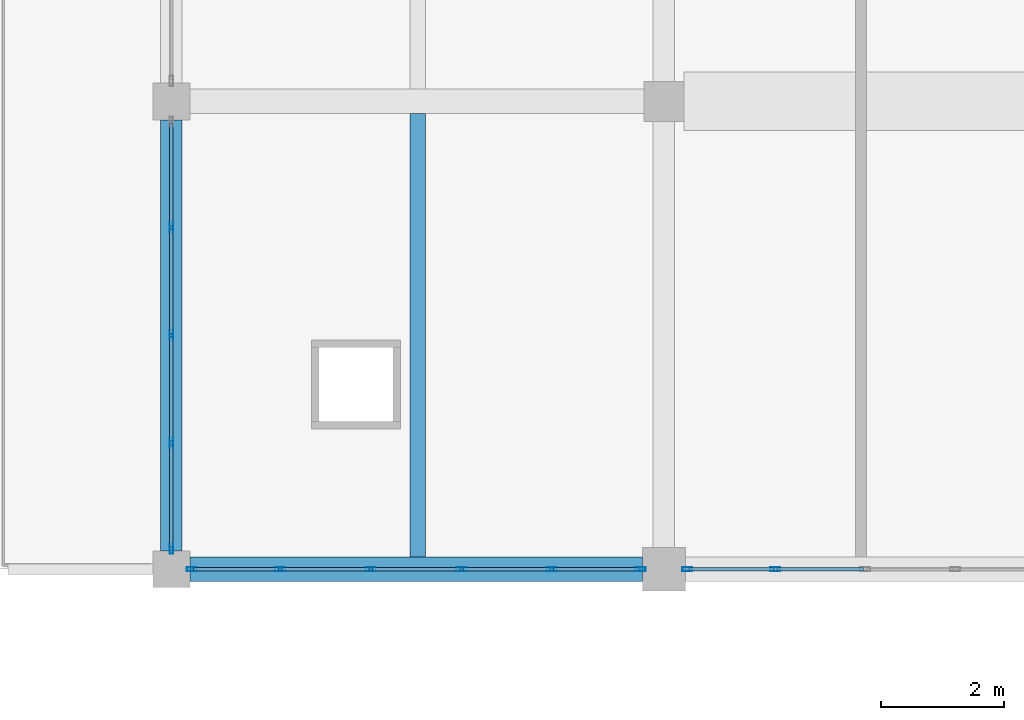
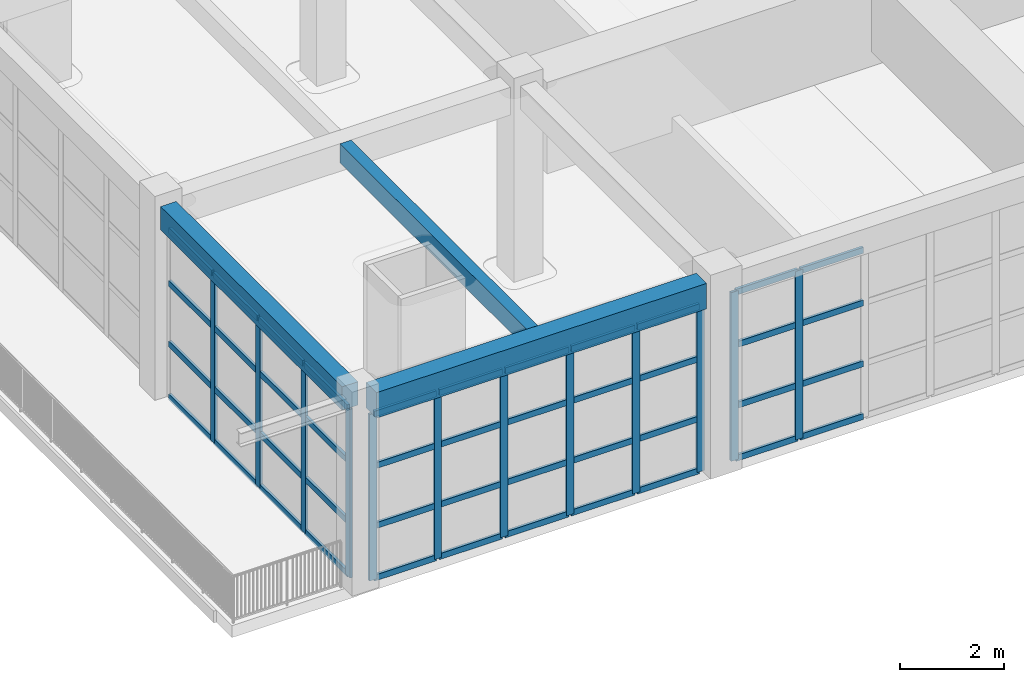
# One storey, part 4 of 50: 56 members, 3 beams, 3 elements without a shape of their own.
"""IFC4 building model written with IfcOpenShell, lengths in metres."""

from ifc_helpers import new_model, si_unit, direction, frame, origin, origin_2d, place, context, subcontext, project, spatial, rectangle, hollow_rectangle, extrude, material, material_profile, profile_set, type_object, element, aggregate, save


model = new_model("IFC4")

# Units and contexts
model_context = context("Model", 3, precision=1e-05, world=origin(), true_north=direction((0.0, 1.0)))
body_context = subcontext(model_context, "Body", "Model", "MODEL_VIEW")
ifc_project = project(units=[si_unit("LENGTHUNIT", "METRE"), si_unit("AREAUNIT", "SQUARE_METRE"), si_unit("VOLUMEUNIT", "CUBIC_METRE"), si_unit("PLANEANGLEUNIT", "RADIAN"), si_unit("MASSUNIT", "GRAM", prefix="KILO")], contexts=[model_context])

# Site, building, storey
site_placement = place(None, origin())
site = spatial("IfcSite", under=ifc_project, at=site_placement, CompositionType="ELEMENT")
building_placement = place(site_placement, origin())
building = spatial("IfcBuilding", under=site, at=building_placement, Name="Zantavel Square City Hall", CompositionType="ELEMENT")
storey_placement = place(building_placement, frame((0.0, 0.0, 18.89990234375)))
storey = spatial("IfcBuildingStorey", under=building, at=storey_placement, Name="L05", CompositionType="ELEMENT", Elevation=18.89990234375)

# Curtain wall, members
ifc_material_1 = material(Name="Anodised aluminium 6063-T6", Category="aluminium")
curtain_wall_type_1 = type_object("IfcCurtainWallType", Name="Curtain Wall TRV1 7300x3970", PredefinedType="USERDEFINED", material=ifc_material_1)
curtain_wall_1_placement = place(storey_placement, origin())
curtain_wall_1 = element("IfcCurtainWall", 1, at=curtain_wall_1_placement, inside=storey, type_object=curtain_wall_type_1, Name="L05 Glazed Curtain Wall CW-L05-138", ObjectType="GLAZED CURTAIN WALL", PredefinedType="USERDEFINED")
ifc_material_profile_1 = material_profile(ifc_material_1, hollow_rectangle(XDim=0.06005859375, YDim=0.1650390625, WallThickness=0.00390625, at=origin_2d()), Name="ALU 60x165x4")
ifc_profile_set_1 = profile_set([ifc_material_profile_1], Name="Anodised aluminium 6063-T6")
member_type_1 = type_object("IfcMemberType", Name="CW Council Gallery Mullion ALU 60x165x4", PredefinedType="MULLION", material=ifc_profile_set_1)
member_1_placement = place(storey_placement, frame((65.81005859375, 30.39990234375, 0.0), z_axis=(0.0, 0.0, 1.0), x_axis=(0.0, -1.0, 0.0)))
member_1 = element("IfcMember", 2, at=member_1_placement, type_object=member_type_1, Name="CW-138 mullion 5", PredefinedType="MULLION", context=body_context, shape_type="SweptSolid", body=[
    extrude(hollow_rectangle(XDim=0.06005859375, YDim=0.1650390625, WallThickness=0.00390625, at=origin_2d()), origin(), (0.0, 0.0, 1.0), 3.97021484375),
])
member_2_placement = place(storey_placement, frame((64.3798828125, 30.39990234375, 0.0), z_axis=(0.0, 0.0, 1.0), x_axis=(0.0, -1.0, 0.0)))
member_2 = element("IfcMember", 3, at=member_2_placement, type_object=member_type_1, Name="CW-138 mullion 6", PredefinedType="MULLION", context=body_context, shape_type="SweptSolid", body=[
    extrude(hollow_rectangle(XDim=0.06005859375, YDim=0.1650390625, WallThickness=0.00390625, at=origin_2d()), origin(), (0.0, 0.0, 1.0), 3.97021484375),
])

curtain_wall_type_2 = type_object("IfcCurtainWallType", Name="Curtain Wall TRV1 7350x3920", PredefinedType="USERDEFINED", material=ifc_material_1)
curtain_wall_2_placement = place(storey_placement, origin())
curtain_wall_2 = element("IfcCurtainWall", 4, at=curtain_wall_2_placement, inside=storey, type_object=curtain_wall_type_2, Name="L05 Glazed Curtain Wall CW-L05-139", ObjectType="GLAZED CURTAIN WALL", PredefinedType="USERDEFINED")
member_3_placement = place(storey_placement, frame((63.6201171875, 30.39990234375, 0.0), z_axis=(0.0, 0.0, 1.0), x_axis=(0.0, -1.0, 0.0)))
member_3 = element("IfcMember", 5, at=member_3_placement, type_object=member_type_1, Name="CW-139 mullion 1", PredefinedType="MULLION", context=body_context, shape_type="SweptSolid", body=[
    extrude(hollow_rectangle(XDim=0.06005859375, YDim=0.1650390625, WallThickness=0.00390625, at=origin_2d()), origin(), (0.0, 0.0, 1.0), 3.920166015625),
])
member_4_placement = place(storey_placement, frame((62.179931640625, 30.39990234375, 0.0), z_axis=(0.0, 0.0, 1.0), x_axis=(0.0, -1.0, 0.0)))
member_4 = element("IfcMember", 6, at=member_4_placement, type_object=member_type_1, Name="CW-139 mullion 2", PredefinedType="MULLION", context=body_context, shape_type="SweptSolid", body=[
    extrude(hollow_rectangle(XDim=0.06005859375, YDim=0.1650390625, WallThickness=0.00390625, at=origin_2d()), origin(), (0.0, 0.0, 1.0), 3.920166015625),
])
member_5_placement = place(storey_placement, frame((60.7099609375, 30.39990234375, 0.0), z_axis=(0.0, 0.0, 1.0), x_axis=(0.0, -1.0, 0.0)))
member_5 = element("IfcMember", 7, at=member_5_placement, type_object=member_type_1, Name="CW-139 mullion 3", PredefinedType="MULLION", context=body_context, shape_type="SweptSolid", body=[
    extrude(hollow_rectangle(XDim=0.06005859375, YDim=0.1650390625, WallThickness=0.00390625, at=origin_2d()), origin(), (0.0, 0.0, 1.0), 3.920166015625),
])
member_6_placement = place(storey_placement, frame((59.239990234375, 30.39990234375, 0.0), z_axis=(0.0, 0.0, 1.0), x_axis=(0.0, -1.0, 0.0)))
member_6 = element("IfcMember", 8, at=member_6_placement, type_object=member_type_1, Name="CW-139 mullion 4", PredefinedType="MULLION", context=body_context, shape_type="SweptSolid", body=[
    extrude(hollow_rectangle(XDim=0.06005859375, YDim=0.1650390625, WallThickness=0.00390625, at=origin_2d()), origin(), (0.0, 0.0, 1.0), 3.920166015625),
])
member_7_placement = place(storey_placement, frame((57.77001953125, 30.39990234375, 0.0), z_axis=(0.0, 0.0, 1.0), x_axis=(0.0, -1.0, 0.0)))
member_7 = element("IfcMember", 9, at=member_7_placement, type_object=member_type_1, Name="CW-139 mullion 5", PredefinedType="MULLION", context=body_context, shape_type="SweptSolid", body=[
    extrude(hollow_rectangle(XDim=0.06005859375, YDim=0.1650390625, WallThickness=0.00390625, at=origin_2d()), origin(), (0.0, 0.0, 1.0), 3.920166015625),
])
member_8_placement = place(storey_placement, frame((56.330078125, 30.39990234375, 0.0), z_axis=(0.0, 0.0, 1.0), x_axis=(0.0, -1.0, 0.0)))
member_8 = element("IfcMember", 10, at=member_8_placement, type_object=member_type_1, Name="CW-139 mullion 6", PredefinedType="MULLION", context=body_context, shape_type="SweptSolid", body=[
    extrude(hollow_rectangle(XDim=0.06005859375, YDim=0.1650390625, WallThickness=0.00390625, at=origin_2d()), origin(), (0.0, 0.0, 1.0), 3.920166015625),
])

curtain_wall_type_3 = type_object("IfcCurtainWallType", Name="Curtain Wall TRV1 7000x3970", PredefinedType="USERDEFINED", material=ifc_material_1)
curtain_wall_3_placement = place(storey_placement, origin())
curtain_wall_3 = element("IfcCurtainWall", 11, at=curtain_wall_3_placement, inside=storey, type_object=curtain_wall_type_3, Name="L05 Glazed Curtain Wall CW-L05-140", ObjectType="GLAZED CURTAIN WALL", PredefinedType="USERDEFINED")
member_9_placement = place(storey_placement, frame((56.0, 30.72998046875, 0.0), z_axis=(0.0, 0.0, 1.0), x_axis=(-1.0, 0.0, 0.0)))
member_9 = element("IfcMember", 12, at=member_9_placement, type_object=member_type_1, Name="CW-140 mullion 1", PredefinedType="MULLION", context=body_context, shape_type="SweptSolid", body=[
    extrude(hollow_rectangle(XDim=0.06005859375, YDim=0.1650390625, WallThickness=0.00390625, at=origin_2d()), origin(), (0.0, 0.0, 1.0), 3.97021484375),
])
member_10_placement = place(storey_placement, frame((56.0, 32.449951171875, 0.0), z_axis=(0.0, 0.0, 1.0), x_axis=(-1.0, 0.0, 0.0)))
member_10 = element("IfcMember", 13, at=member_10_placement, type_object=member_type_1, Name="CW-140 mullion 2", PredefinedType="MULLION", context=body_context, shape_type="SweptSolid", body=[
    extrude(hollow_rectangle(XDim=0.06005859375, YDim=0.1650390625, WallThickness=0.00390625, at=origin_2d()), origin(), (0.0, 0.0, 1.0), 3.97021484375),
])
member_11_placement = place(storey_placement, frame((56.0, 34.199951171875, 0.0), z_axis=(0.0, 0.0, 1.0), x_axis=(-1.0, 0.0, 0.0)))
member_11 = element("IfcMember", 14, at=member_11_placement, type_object=member_type_1, Name="CW-140 mullion 3", PredefinedType="MULLION", context=body_context, shape_type="SweptSolid", body=[
    extrude(hollow_rectangle(XDim=0.06005859375, YDim=0.1650390625, WallThickness=0.00390625, at=origin_2d()), origin(), (0.0, 0.0, 1.0), 3.97021484375),
])
member_12_placement = place(storey_placement, frame((56.0, 35.949951171875, 0.0), z_axis=(0.0, 0.0, 1.0), x_axis=(-1.0, 0.0, 0.0)))
member_12 = element("IfcMember", 15, at=member_12_placement, type_object=member_type_1, Name="CW-140 mullion 4", PredefinedType="MULLION", context=body_context, shape_type="SweptSolid", body=[
    extrude(hollow_rectangle(XDim=0.06005859375, YDim=0.1650390625, WallThickness=0.00390625, at=origin_2d()), origin(), (0.0, 0.0, 1.0), 3.97021484375),
])

# Member
ifc_material_profile_2 = material_profile(ifc_material_1, hollow_rectangle(XDim=0.06005859375, YDim=0.139892578125, WallThickness=0.00390625, at=origin_2d()), Name="ALU 60x140x4")
ifc_profile_set_2 = profile_set([ifc_material_profile_2], Name="Anodised aluminium 6063-T6")
member_type_2 = type_object("IfcMemberType", Name="CW Transom ALU 60x140x4", PredefinedType="USERDEFINED", material=ifc_profile_set_2)
member_13_placement = place(storey_placement, frame((67.239990234375, 30.39990234375, 0.030029296875), z_axis=(-1.0, 0.0, 0.0), x_axis=(0.0, -1.0, 0.0)))
member_13 = element("IfcMember", 16, at=member_13_placement, type_object=member_type_2, Name="CW-138 transom 4.1", ObjectType="TRANSOM", PredefinedType="USERDEFINED", context=body_context, shape_type="SweptSolid", body=[
    extrude(hollow_rectangle(XDim=0.06005859375, YDim=0.139892578125, WallThickness=0.00390625, at=origin_2d()), origin(), (0.0, 0.0, 1.0), 1.39990234375),
])

member_14_placement = place(storey_placement, frame((67.239990234375, 30.39990234375, 1.27001953125), z_axis=(-1.0, 0.0, 0.0), x_axis=(0.0, -1.0, 0.0)))
member_14 = element("IfcMember", 17, at=member_14_placement, type_object=member_type_2, Name="CW-138 transom 4.2", ObjectType="TRANSOM", PredefinedType="USERDEFINED", context=body_context, shape_type="SweptSolid", body=[
    extrude(hollow_rectangle(XDim=0.06005859375, YDim=0.139892578125, WallThickness=0.00390625, at=origin_2d()), origin(), (0.0, 0.0, 1.0), 1.39990234375),
])

member_15_placement = place(storey_placement, frame((67.239990234375, 30.39990234375, 2.7001953125), z_axis=(-1.0, 0.0, 0.0), x_axis=(0.0, -1.0, 0.0)))
member_15 = element("IfcMember", 18, at=member_15_placement, type_object=member_type_2, Name="CW-138 transom 4.3", ObjectType="TRANSOM", PredefinedType="USERDEFINED", context=body_context, shape_type="SweptSolid", body=[
    extrude(hollow_rectangle(XDim=0.06005859375, YDim=0.139892578125, WallThickness=0.00390625, at=origin_2d()), origin(), (0.0, 0.0, 1.0), 1.39990234375),
])

member_16_placement = place(storey_placement, frame((67.239990234375, 30.39990234375, 3.940185546875), z_axis=(-1.0, 0.0, 0.0), x_axis=(0.0, -1.0, 0.0)))
member_16 = element("IfcMember", 19, at=member_16_placement, type_object=member_type_2, Name="CW-138 transom 4.4", ObjectType="TRANSOM", PredefinedType="USERDEFINED", context=body_context, shape_type="SweptSolid", body=[
    extrude(hollow_rectangle(XDim=0.06005859375, YDim=0.139892578125, WallThickness=0.00390625, at=origin_2d()), origin(), (0.0, 0.0, 1.0), 1.39990234375),
])

member_17_placement = place(storey_placement, frame((65.780029296875, 30.39990234375, 0.030029296875), z_axis=(-1.0, 0.0, 0.0), x_axis=(0.0, -1.0, 0.0)))
member_17 = element("IfcMember", 20, at=member_17_placement, type_object=member_type_2, Name="CW-138 transom 5.1", ObjectType="TRANSOM", PredefinedType="USERDEFINED", context=body_context, shape_type="SweptSolid", body=[
    extrude(hollow_rectangle(XDim=0.06005859375, YDim=0.139892578125, WallThickness=0.00390625, at=origin_2d()), origin(), (0.0, 0.0, 1.0), 1.3701171875),
])

member_18_placement = place(storey_placement, frame((65.780029296875, 30.39990234375, 1.27001953125), z_axis=(-1.0, 0.0, 0.0), x_axis=(0.0, -1.0, 0.0)))
member_18 = element("IfcMember", 21, at=member_18_placement, type_object=member_type_2, Name="CW-138 transom 5.2", ObjectType="TRANSOM", PredefinedType="USERDEFINED", context=body_context, shape_type="SweptSolid", body=[
    extrude(hollow_rectangle(XDim=0.06005859375, YDim=0.139892578125, WallThickness=0.00390625, at=origin_2d()), origin(), (0.0, 0.0, 1.0), 1.3701171875),
])

member_19_placement = place(storey_placement, frame((65.780029296875, 30.39990234375, 2.7001953125), z_axis=(-1.0, 0.0, 0.0), x_axis=(0.0, -1.0, 0.0)))
member_19 = element("IfcMember", 22, at=member_19_placement, type_object=member_type_2, Name="CW-138 transom 5.3", ObjectType="TRANSOM", PredefinedType="USERDEFINED", context=body_context, shape_type="SweptSolid", body=[
    extrude(hollow_rectangle(XDim=0.06005859375, YDim=0.139892578125, WallThickness=0.00390625, at=origin_2d()), origin(), (0.0, 0.0, 1.0), 1.3701171875),
])

member_20_placement = place(storey_placement, frame((65.780029296875, 30.39990234375, 3.940185546875), z_axis=(-1.0, 0.0, 0.0), x_axis=(0.0, -1.0, 0.0)))
member_20 = element("IfcMember", 23, at=member_20_placement, type_object=member_type_2, Name="CW-138 transom 5.4", ObjectType="TRANSOM", PredefinedType="USERDEFINED", context=body_context, shape_type="SweptSolid", body=[
    extrude(hollow_rectangle(XDim=0.06005859375, YDim=0.139892578125, WallThickness=0.00390625, at=origin_2d()), origin(), (0.0, 0.0, 1.0), 1.3701171875),
])

aggregate(curtain_wall_1, [member_1, member_2, member_13, member_14, member_15, member_16, member_17, member_18, member_19, member_20])

member_21_placement = place(storey_placement, frame((63.590087890625, 30.39990234375, 0.030029296875), z_axis=(-1.0, 0.0, 0.0), x_axis=(0.0, -1.0, 0.0)))
member_21 = element("IfcMember", 24, at=member_21_placement, type_object=member_type_2, Name="CW-139 transom 1.1", ObjectType="TRANSOM", PredefinedType="USERDEFINED", context=body_context, shape_type="SweptSolid", body=[
    extrude(hollow_rectangle(XDim=0.06005859375, YDim=0.139892578125, WallThickness=0.00390625, at=origin_2d()), origin(), (0.0, 0.0, 1.0), 1.380126953125),
])

member_22_placement = place(storey_placement, frame((63.590087890625, 30.39990234375, 1.254150390625), z_axis=(-1.0, 0.0, 0.0), x_axis=(0.0, -1.0, 0.0)))
member_22 = element("IfcMember", 25, at=member_22_placement, type_object=member_type_2, Name="CW-139 transom 1.2", ObjectType="TRANSOM", PredefinedType="USERDEFINED", context=body_context, shape_type="SweptSolid", body=[
    extrude(hollow_rectangle(XDim=0.06005859375, YDim=0.139892578125, WallThickness=0.00390625, at=origin_2d()), origin(), (0.0, 0.0, 1.0), 1.380126953125),
])

member_23_placement = place(storey_placement, frame((63.590087890625, 30.39990234375, 2.666015625), z_axis=(-1.0, 0.0, 0.0), x_axis=(0.0, -1.0, 0.0)))
member_23 = element("IfcMember", 26, at=member_23_placement, type_object=member_type_2, Name="CW-139 transom 1.3", ObjectType="TRANSOM", PredefinedType="USERDEFINED", context=body_context, shape_type="SweptSolid", body=[
    extrude(hollow_rectangle(XDim=0.06005859375, YDim=0.139892578125, WallThickness=0.00390625, at=origin_2d()), origin(), (0.0, 0.0, 1.0), 1.380126953125),
])

member_24_placement = place(storey_placement, frame((63.590087890625, 30.39990234375, 3.89013671875), z_axis=(-1.0, 0.0, 0.0), x_axis=(0.0, -1.0, 0.0)))
member_24 = element("IfcMember", 27, at=member_24_placement, type_object=member_type_2, Name="CW-139 transom 1.4", ObjectType="TRANSOM", PredefinedType="USERDEFINED", context=body_context, shape_type="SweptSolid", body=[
    extrude(hollow_rectangle(XDim=0.06005859375, YDim=0.139892578125, WallThickness=0.00390625, at=origin_2d()), origin(), (0.0, 0.0, 1.0), 1.380126953125),
])

member_25_placement = place(storey_placement, frame((62.14990234375, 30.39990234375, 0.030029296875), z_axis=(-1.0, 0.0, 0.0), x_axis=(0.0, -1.0, 0.0)))
member_25 = element("IfcMember", 28, at=member_25_placement, type_object=member_type_2, Name="CW-139 transom 2.1", ObjectType="TRANSOM", PredefinedType="USERDEFINED", context=body_context, shape_type="SweptSolid", body=[
    extrude(hollow_rectangle(XDim=0.06005859375, YDim=0.139892578125, WallThickness=0.00390625, at=origin_2d()), origin(), (0.0, 0.0, 1.0), 1.409912109375),
])

member_26_placement = place(storey_placement, frame((62.14990234375, 30.39990234375, 1.254150390625), z_axis=(-1.0, 0.0, 0.0), x_axis=(0.0, -1.0, 0.0)))
member_26 = element("IfcMember", 29, at=member_26_placement, type_object=member_type_2, Name="CW-139 transom 2.2", ObjectType="TRANSOM", PredefinedType="USERDEFINED", context=body_context, shape_type="SweptSolid", body=[
    extrude(hollow_rectangle(XDim=0.06005859375, YDim=0.139892578125, WallThickness=0.00390625, at=origin_2d()), origin(), (0.0, 0.0, 1.0), 1.409912109375),
])

member_27_placement = place(storey_placement, frame((62.14990234375, 30.39990234375, 2.666015625), z_axis=(-1.0, 0.0, 0.0), x_axis=(0.0, -1.0, 0.0)))
member_27 = element("IfcMember", 30, at=member_27_placement, type_object=member_type_2, Name="CW-139 transom 2.3", ObjectType="TRANSOM", PredefinedType="USERDEFINED", context=body_context, shape_type="SweptSolid", body=[
    extrude(hollow_rectangle(XDim=0.06005859375, YDim=0.139892578125, WallThickness=0.00390625, at=origin_2d()), origin(), (0.0, 0.0, 1.0), 1.409912109375),
])

member_28_placement = place(storey_placement, frame((62.14990234375, 30.39990234375, 3.89013671875), z_axis=(-1.0, 0.0, 0.0), x_axis=(0.0, -1.0, 0.0)))
member_28 = element("IfcMember", 31, at=member_28_placement, type_object=member_type_2, Name="CW-139 transom 2.4", ObjectType="TRANSOM", PredefinedType="USERDEFINED", context=body_context, shape_type="SweptSolid", body=[
    extrude(hollow_rectangle(XDim=0.06005859375, YDim=0.139892578125, WallThickness=0.00390625, at=origin_2d()), origin(), (0.0, 0.0, 1.0), 1.409912109375),
])

member_29_placement = place(storey_placement, frame((60.679931640625, 30.39990234375, 0.030029296875), z_axis=(-1.0, 0.0, 0.0), x_axis=(0.0, -1.0, 0.0)))
member_29 = element("IfcMember", 32, at=member_29_placement, type_object=member_type_2, Name="CW-139 transom 3.1", ObjectType="TRANSOM", PredefinedType="USERDEFINED", context=body_context, shape_type="SweptSolid", body=[
    extrude(hollow_rectangle(XDim=0.06005859375, YDim=0.139892578125, WallThickness=0.00390625, at=origin_2d()), origin(), (0.0, 0.0, 1.0), 1.409912109375),
])

member_30_placement = place(storey_placement, frame((60.679931640625, 30.39990234375, 1.254150390625), z_axis=(-1.0, 0.0, 0.0), x_axis=(0.0, -1.0, 0.0)))
member_30 = element("IfcMember", 33, at=member_30_placement, type_object=member_type_2, Name="CW-139 transom 3.2", ObjectType="TRANSOM", PredefinedType="USERDEFINED", context=body_context, shape_type="SweptSolid", body=[
    extrude(hollow_rectangle(XDim=0.06005859375, YDim=0.139892578125, WallThickness=0.00390625, at=origin_2d()), origin(), (0.0, 0.0, 1.0), 1.409912109375),
])

member_31_placement = place(storey_placement, frame((60.679931640625, 30.39990234375, 2.666015625), z_axis=(-1.0, 0.0, 0.0), x_axis=(0.0, -1.0, 0.0)))
member_31 = element("IfcMember", 34, at=member_31_placement, type_object=member_type_2, Name="CW-139 transom 3.3", ObjectType="TRANSOM", PredefinedType="USERDEFINED", context=body_context, shape_type="SweptSolid", body=[
    extrude(hollow_rectangle(XDim=0.06005859375, YDim=0.139892578125, WallThickness=0.00390625, at=origin_2d()), origin(), (0.0, 0.0, 1.0), 1.409912109375),
])

member_32_placement = place(storey_placement, frame((60.679931640625, 30.39990234375, 3.89013671875), z_axis=(-1.0, 0.0, 0.0), x_axis=(0.0, -1.0, 0.0)))
member_32 = element("IfcMember", 35, at=member_32_placement, type_object=member_type_2, Name="CW-139 transom 3.4", ObjectType="TRANSOM", PredefinedType="USERDEFINED", context=body_context, shape_type="SweptSolid", body=[
    extrude(hollow_rectangle(XDim=0.06005859375, YDim=0.139892578125, WallThickness=0.00390625, at=origin_2d()), origin(), (0.0, 0.0, 1.0), 1.409912109375),
])

member_33_placement = place(storey_placement, frame((59.2099609375, 30.39990234375, 0.030029296875), z_axis=(-1.0, 0.0, 0.0), x_axis=(0.0, -1.0, 0.0)))
member_33 = element("IfcMember", 36, at=member_33_placement, type_object=member_type_2, Name="CW-139 transom 4.1", ObjectType="TRANSOM", PredefinedType="USERDEFINED", context=body_context, shape_type="SweptSolid", body=[
    extrude(hollow_rectangle(XDim=0.06005859375, YDim=0.139892578125, WallThickness=0.00390625, at=origin_2d()), origin(), (0.0, 0.0, 1.0), 1.409912109375),
])

member_34_placement = place(storey_placement, frame((59.2099609375, 30.39990234375, 1.254150390625), z_axis=(-1.0, 0.0, 0.0), x_axis=(0.0, -1.0, 0.0)))
member_34 = element("IfcMember", 37, at=member_34_placement, type_object=member_type_2, Name="CW-139 transom 4.2", ObjectType="TRANSOM", PredefinedType="USERDEFINED", context=body_context, shape_type="SweptSolid", body=[
    extrude(hollow_rectangle(XDim=0.06005859375, YDim=0.139892578125, WallThickness=0.00390625, at=origin_2d()), origin(), (0.0, 0.0, 1.0), 1.409912109375),
])

member_35_placement = place(storey_placement, frame((59.2099609375, 30.39990234375, 2.666015625), z_axis=(-1.0, 0.0, 0.0), x_axis=(0.0, -1.0, 0.0)))
member_35 = element("IfcMember", 38, at=member_35_placement, type_object=member_type_2, Name="CW-139 transom 4.3", ObjectType="TRANSOM", PredefinedType="USERDEFINED", context=body_context, shape_type="SweptSolid", body=[
    extrude(hollow_rectangle(XDim=0.06005859375, YDim=0.139892578125, WallThickness=0.00390625, at=origin_2d()), origin(), (0.0, 0.0, 1.0), 1.409912109375),
])

member_36_placement = place(storey_placement, frame((59.2099609375, 30.39990234375, 3.89013671875), z_axis=(-1.0, 0.0, 0.0), x_axis=(0.0, -1.0, 0.0)))
member_36 = element("IfcMember", 39, at=member_36_placement, type_object=member_type_2, Name="CW-139 transom 4.4", ObjectType="TRANSOM", PredefinedType="USERDEFINED", context=body_context, shape_type="SweptSolid", body=[
    extrude(hollow_rectangle(XDim=0.06005859375, YDim=0.139892578125, WallThickness=0.00390625, at=origin_2d()), origin(), (0.0, 0.0, 1.0), 1.409912109375),
])

member_37_placement = place(storey_placement, frame((57.739990234375, 30.39990234375, 0.030029296875), z_axis=(-1.0, 0.0, 0.0), x_axis=(0.0, -1.0, 0.0)))
member_37 = element("IfcMember", 40, at=member_37_placement, type_object=member_type_2, Name="CW-139 transom 5.1", ObjectType="TRANSOM", PredefinedType="USERDEFINED", context=body_context, shape_type="SweptSolid", body=[
    extrude(hollow_rectangle(XDim=0.06005859375, YDim=0.139892578125, WallThickness=0.00390625, at=origin_2d()), origin(), (0.0, 0.0, 1.0), 1.3798828125),
])

member_38_placement = place(storey_placement, frame((57.739990234375, 30.39990234375, 1.254150390625), z_axis=(-1.0, 0.0, 0.0), x_axis=(0.0, -1.0, 0.0)))
member_38 = element("IfcMember", 41, at=member_38_placement, type_object=member_type_2, Name="CW-139 transom 5.2", ObjectType="TRANSOM", PredefinedType="USERDEFINED", context=body_context, shape_type="SweptSolid", body=[
    extrude(hollow_rectangle(XDim=0.06005859375, YDim=0.139892578125, WallThickness=0.00390625, at=origin_2d()), origin(), (0.0, 0.0, 1.0), 1.3798828125),
])

member_39_placement = place(storey_placement, frame((57.739990234375, 30.39990234375, 2.666015625), z_axis=(-1.0, 0.0, 0.0), x_axis=(0.0, -1.0, 0.0)))
member_39 = element("IfcMember", 42, at=member_39_placement, type_object=member_type_2, Name="CW-139 transom 5.3", ObjectType="TRANSOM", PredefinedType="USERDEFINED", context=body_context, shape_type="SweptSolid", body=[
    extrude(hollow_rectangle(XDim=0.06005859375, YDim=0.139892578125, WallThickness=0.00390625, at=origin_2d()), origin(), (0.0, 0.0, 1.0), 1.3798828125),
])

member_40_placement = place(storey_placement, frame((57.739990234375, 30.39990234375, 3.89013671875), z_axis=(-1.0, 0.0, 0.0), x_axis=(0.0, -1.0, 0.0)))
member_40 = element("IfcMember", 43, at=member_40_placement, type_object=member_type_2, Name="CW-139 transom 5.4", ObjectType="TRANSOM", PredefinedType="USERDEFINED", context=body_context, shape_type="SweptSolid", body=[
    extrude(hollow_rectangle(XDim=0.06005859375, YDim=0.139892578125, WallThickness=0.00390625, at=origin_2d()), origin(), (0.0, 0.0, 1.0), 1.3798828125),
])

aggregate(curtain_wall_2, [member_3, member_4, member_5, member_6, member_7, member_8, member_21, member_22, member_23, member_24, member_25, member_26, member_27, member_28, member_29, member_30, member_31, member_32, member_33, member_34, member_35, member_36, member_37, member_38, member_39, member_40])

member_41_placement = place(storey_placement, frame((56.0, 30.760009765625, 0.030029296875), z_axis=(0.0, 1.0, 0.0), x_axis=(-1.0, 0.0, 0.0)))
member_41 = element("IfcMember", 44, at=member_41_placement, type_object=member_type_2, Name="CW-140 transom 1.1", ObjectType="TRANSOM", PredefinedType="USERDEFINED", context=body_context, shape_type="SweptSolid", body=[
    extrude(hollow_rectangle(XDim=0.06005859375, YDim=0.139892578125, WallThickness=0.00390625, at=origin_2d()), origin(), (0.0, 0.0, 1.0), 1.659912109375),
])

member_42_placement = place(storey_placement, frame((56.0, 30.760009765625, 1.27001953125), z_axis=(0.0, 1.0, 0.0), x_axis=(-1.0, 0.0, 0.0)))
member_42 = element("IfcMember", 45, at=member_42_placement, type_object=member_type_2, Name="CW-140 transom 1.2", ObjectType="TRANSOM", PredefinedType="USERDEFINED", context=body_context, shape_type="SweptSolid", body=[
    extrude(hollow_rectangle(XDim=0.06005859375, YDim=0.139892578125, WallThickness=0.00390625, at=origin_2d()), origin(), (0.0, 0.0, 1.0), 1.659912109375),
])

member_43_placement = place(storey_placement, frame((56.0, 30.760009765625, 2.7001953125), z_axis=(0.0, 1.0, 0.0), x_axis=(-1.0, 0.0, 0.0)))
member_43 = element("IfcMember", 46, at=member_43_placement, type_object=member_type_2, Name="CW-140 transom 1.3", ObjectType="TRANSOM", PredefinedType="USERDEFINED", context=body_context, shape_type="SweptSolid", body=[
    extrude(hollow_rectangle(XDim=0.06005859375, YDim=0.139892578125, WallThickness=0.00390625, at=origin_2d()), origin(), (0.0, 0.0, 1.0), 1.659912109375),
])

member_44_placement = place(storey_placement, frame((56.0, 30.760009765625, 3.940185546875), z_axis=(0.0, 1.0, 0.0), x_axis=(-1.0, 0.0, 0.0)))
member_44 = element("IfcMember", 47, at=member_44_placement, type_object=member_type_2, Name="CW-140 transom 1.4", ObjectType="TRANSOM", PredefinedType="USERDEFINED", context=body_context, shape_type="SweptSolid", body=[
    extrude(hollow_rectangle(XDim=0.06005859375, YDim=0.139892578125, WallThickness=0.00390625, at=origin_2d()), origin(), (0.0, 0.0, 1.0), 1.659912109375),
])

member_45_placement = place(storey_placement, frame((56.0, 32.47998046875, 0.030029296875), z_axis=(0.0, 1.0, 0.0), x_axis=(-1.0, 0.0, 0.0)))
member_45 = element("IfcMember", 48, at=member_45_placement, type_object=member_type_2, Name="CW-140 transom 2.1", ObjectType="TRANSOM", PredefinedType="USERDEFINED", context=body_context, shape_type="SweptSolid", body=[
    extrude(hollow_rectangle(XDim=0.06005859375, YDim=0.139892578125, WallThickness=0.00390625, at=origin_2d()), origin(), (0.0, 0.0, 1.0), 1.68994140625),
])

member_46_placement = place(storey_placement, frame((56.0, 32.47998046875, 1.27001953125), z_axis=(0.0, 1.0, 0.0), x_axis=(-1.0, 0.0, 0.0)))
member_46 = element("IfcMember", 49, at=member_46_placement, type_object=member_type_2, Name="CW-140 transom 2.2", ObjectType="TRANSOM", PredefinedType="USERDEFINED", context=body_context, shape_type="SweptSolid", body=[
    extrude(hollow_rectangle(XDim=0.06005859375, YDim=0.139892578125, WallThickness=0.00390625, at=origin_2d()), origin(), (0.0, 0.0, 1.0), 1.68994140625),
])

member_47_placement = place(storey_placement, frame((56.0, 32.47998046875, 2.7001953125), z_axis=(0.0, 1.0, 0.0), x_axis=(-1.0, 0.0, 0.0)))
member_47 = element("IfcMember", 50, at=member_47_placement, type_object=member_type_2, Name="CW-140 transom 2.3", ObjectType="TRANSOM", PredefinedType="USERDEFINED", context=body_context, shape_type="SweptSolid", body=[
    extrude(hollow_rectangle(XDim=0.06005859375, YDim=0.139892578125, WallThickness=0.00390625, at=origin_2d()), origin(), (0.0, 0.0, 1.0), 1.68994140625),
])

member_48_placement = place(storey_placement, frame((56.0, 32.47998046875, 3.940185546875), z_axis=(0.0, 1.0, 0.0), x_axis=(-1.0, 0.0, 0.0)))
member_48 = element("IfcMember", 51, at=member_48_placement, type_object=member_type_2, Name="CW-140 transom 2.4", ObjectType="TRANSOM", PredefinedType="USERDEFINED", context=body_context, shape_type="SweptSolid", body=[
    extrude(hollow_rectangle(XDim=0.06005859375, YDim=0.139892578125, WallThickness=0.00390625, at=origin_2d()), origin(), (0.0, 0.0, 1.0), 1.68994140625),
])

member_49_placement = place(storey_placement, frame((56.0, 34.22998046875, 0.030029296875), z_axis=(0.0, 1.0, 0.0), x_axis=(-1.0, 0.0, 0.0)))
member_49 = element("IfcMember", 52, at=member_49_placement, type_object=member_type_2, Name="CW-140 transom 3.1", ObjectType="TRANSOM", PredefinedType="USERDEFINED", context=body_context, shape_type="SweptSolid", body=[
    extrude(hollow_rectangle(XDim=0.06005859375, YDim=0.139892578125, WallThickness=0.00390625, at=origin_2d()), origin(), (0.0, 0.0, 1.0), 1.68994140625),
])

member_50_placement = place(storey_placement, frame((56.0, 34.22998046875, 1.27001953125), z_axis=(0.0, 1.0, 0.0), x_axis=(-1.0, 0.0, 0.0)))
member_50 = element("IfcMember", 53, at=member_50_placement, type_object=member_type_2, Name="CW-140 transom 3.2", ObjectType="TRANSOM", PredefinedType="USERDEFINED", context=body_context, shape_type="SweptSolid", body=[
    extrude(hollow_rectangle(XDim=0.06005859375, YDim=0.139892578125, WallThickness=0.00390625, at=origin_2d()), origin(), (0.0, 0.0, 1.0), 1.68994140625),
])

member_51_placement = place(storey_placement, frame((56.0, 34.22998046875, 2.7001953125), z_axis=(0.0, 1.0, 0.0), x_axis=(-1.0, 0.0, 0.0)))
member_51 = element("IfcMember", 54, at=member_51_placement, type_object=member_type_2, Name="CW-140 transom 3.3", ObjectType="TRANSOM", PredefinedType="USERDEFINED", context=body_context, shape_type="SweptSolid", body=[
    extrude(hollow_rectangle(XDim=0.06005859375, YDim=0.139892578125, WallThickness=0.00390625, at=origin_2d()), origin(), (0.0, 0.0, 1.0), 1.68994140625),
])

member_52_placement = place(storey_placement, frame((56.0, 34.22998046875, 3.940185546875), z_axis=(0.0, 1.0, 0.0), x_axis=(-1.0, 0.0, 0.0)))
member_52 = element("IfcMember", 55, at=member_52_placement, type_object=member_type_2, Name="CW-140 transom 3.4", ObjectType="TRANSOM", PredefinedType="USERDEFINED", context=body_context, shape_type="SweptSolid", body=[
    extrude(hollow_rectangle(XDim=0.06005859375, YDim=0.139892578125, WallThickness=0.00390625, at=origin_2d()), origin(), (0.0, 0.0, 1.0), 1.68994140625),
])

member_53_placement = place(storey_placement, frame((56.0, 35.97998046875, 0.030029296875), z_axis=(0.0, 1.0, 0.0), x_axis=(-1.0, 0.0, 0.0)))
member_53 = element("IfcMember", 56, at=member_53_placement, type_object=member_type_2, Name="CW-140 transom 4.1", ObjectType="TRANSOM", PredefinedType="USERDEFINED", context=body_context, shape_type="SweptSolid", body=[
    extrude(hollow_rectangle(XDim=0.06005859375, YDim=0.139892578125, WallThickness=0.00390625, at=origin_2d()), origin(), (0.0, 0.0, 1.0), 1.659912109375),
])

member_54_placement = place(storey_placement, frame((56.0, 35.97998046875, 1.27001953125), z_axis=(0.0, 1.0, 0.0), x_axis=(-1.0, 0.0, 0.0)))
member_54 = element("IfcMember", 57, at=member_54_placement, type_object=member_type_2, Name="CW-140 transom 4.2", ObjectType="TRANSOM", PredefinedType="USERDEFINED", context=body_context, shape_type="SweptSolid", body=[
    extrude(hollow_rectangle(XDim=0.06005859375, YDim=0.139892578125, WallThickness=0.00390625, at=origin_2d()), origin(), (0.0, 0.0, 1.0), 1.659912109375),
])

member_55_placement = place(storey_placement, frame((56.0, 35.97998046875, 2.7001953125), z_axis=(0.0, 1.0, 0.0), x_axis=(-1.0, 0.0, 0.0)))
member_55 = element("IfcMember", 58, at=member_55_placement, type_object=member_type_2, Name="CW-140 transom 4.3", ObjectType="TRANSOM", PredefinedType="USERDEFINED", context=body_context, shape_type="SweptSolid", body=[
    extrude(hollow_rectangle(XDim=0.06005859375, YDim=0.139892578125, WallThickness=0.00390625, at=origin_2d()), origin(), (0.0, 0.0, 1.0), 1.659912109375),
])

member_56_placement = place(storey_placement, frame((56.0, 35.97998046875, 3.940185546875), z_axis=(0.0, 1.0, 0.0), x_axis=(-1.0, 0.0, 0.0)))
member_56 = element("IfcMember", 59, at=member_56_placement, type_object=member_type_2, Name="CW-140 transom 4.4", ObjectType="TRANSOM", PredefinedType="USERDEFINED", context=body_context, shape_type="SweptSolid", body=[
    extrude(hollow_rectangle(XDim=0.06005859375, YDim=0.139892578125, WallThickness=0.00390625, at=origin_2d()), origin(), (0.0, 0.0, 1.0), 1.659912109375),
])

aggregate(curtain_wall_3, [member_9, member_10, member_11, member_12, member_41, member_42, member_43, member_44, member_45, member_46, member_47, member_48, member_49, member_50, member_51, member_52, member_53, member_54, member_55, member_56])

# Beams
ifc_material_2 = material(Name="Concrete C35/45", Category="concrete")
ifc_material_profile_3 = material_profile(ifc_material_2, rectangle(XDim=0.25, YDim=0.449951171875, at=origin_2d()), Name="RC 250x450")
ifc_profile_set_3 = profile_set([ifc_material_profile_3], Name="Concrete C35/45")
beam_type_1 = type_object("IfcBeamType", Name="Light Floor Joist RC 250x450 C35/45", PredefinedType="JOIST", material=ifc_profile_set_3)
beam_1_placement = place(storey_placement, frame((60.0, 30.60009765625, 4.295166015625), z_axis=(0.0, 1.0, 0.0), x_axis=(-1.0, 0.0, 0.0)))
element("IfcBeam", 60, at=beam_1_placement, inside=storey, type_object=beam_type_1, Name="L05 Floor Joist JST-L05-0600-0304", PredefinedType="JOIST", context=body_context, shape_type="SweptSolid", body=[
    extrude(rectangle(XDim=0.25, YDim=0.449951171875, at=origin_2d()), origin(), (0.0, 0.0, 1.0), 7.199951171875),
])
ifc_material_profile_4 = material_profile(ifc_material_2, rectangle(XDim=0.39990234375, YDim=0.60009765625, at=origin_2d()), Name="RC 400x600")
ifc_profile_set_4 = profile_set([ifc_material_profile_4], Name="Concrete C35/45")
beam_type_2 = type_object("IfcBeamType", Name="Perimeter Spandrel RC 400x600 C35/45", PredefinedType="SPANDREL", material=ifc_profile_set_4)
beam_2_placement = place(storey_placement, frame((56.300048828125, 30.39990234375, 4.22021484375), z_axis=(1.0, 0.0, 0.0), x_axis=(0.0, 1.0, 0.0)))
element("IfcBeam", 61, at=beam_2_placement, inside=storey, type_object=beam_type_2, Name="L05 Girder BMX-L05-0560-0304", PredefinedType="SPANDREL", context=body_context, shape_type="SweptSolid", body=[
    extrude(rectangle(XDim=0.39990234375, YDim=0.60009765625, at=origin_2d()), origin(), (0.0, 0.0, 1.0), 7.349853515625),
])
ifc_material_profile_5 = material_profile(ifc_material_2, rectangle(XDim=0.35009765625, YDim=0.550048828125, at=origin_2d()), Name="RC 350x550")
ifc_profile_set_5 = profile_set([ifc_material_profile_5], Name="Concrete C35/45")
beam_type_3 = type_object("IfcBeamType", Name="Secondary Beam RC 350x550 C35/45", PredefinedType="BEAM", material=ifc_profile_set_5)
beam_3_placement = place(storey_placement, frame((56.0, 30.699951171875, 4.2451171875), z_axis=(0.0, 1.0, 0.0), x_axis=(-1.0, 0.0, 0.0)))
element("IfcBeam", 62, at=beam_3_placement, inside=storey, type_object=beam_type_3, Name="L05 Beam BMY-L05-0560-0304", PredefinedType="BEAM", context=body_context, shape_type="SweptSolid", body=[
    extrude(rectangle(XDim=0.35009765625, YDim=0.550048828125, at=origin_2d()), origin(), (0.0, 0.0, 1.0), 7.0),
])

save(model, "model.ifc")
